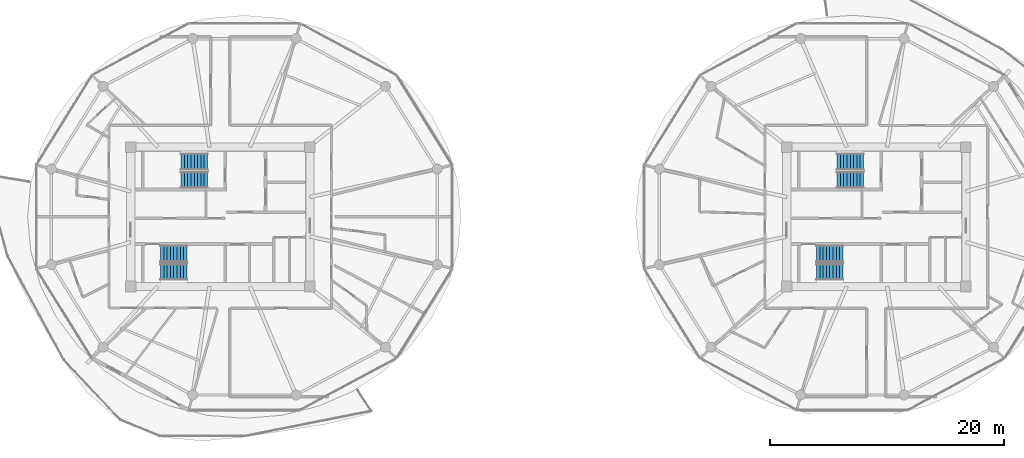
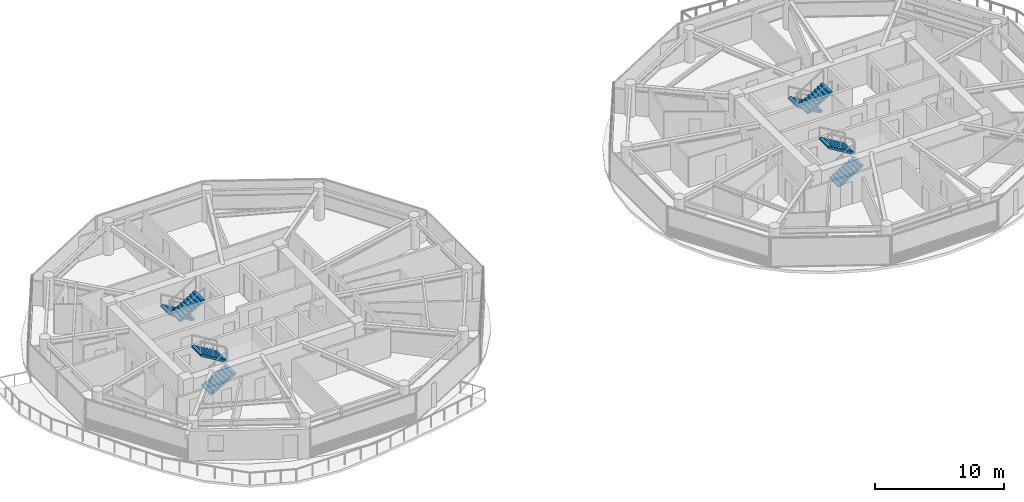
# One storey, part 19 of 24: 8 stair flights, 4 elements without a shape of their own.
"""IFC4 building model written with IfcOpenShell, lengths in metres."""

from ifc_helpers import new_model, si_unit, direction, frame, origin, place, context, subcontext, project, spatial, polyline, outline, extrude, material, type_object, element, aggregate, save


model = new_model("IFC4")

# Units and contexts
model_context = context("Model", 3, precision=1e-05, world=origin(), true_north=direction((0.0, 1.0)))
body_context = subcontext(model_context, "Body", "Model", "MODEL_VIEW")
ifc_project = project(units=[si_unit("LENGTHUNIT", "METRE"), si_unit("AREAUNIT", "SQUARE_METRE"), si_unit("VOLUMEUNIT", "CUBIC_METRE"), si_unit("PLANEANGLEUNIT", "RADIAN"), si_unit("MASSUNIT", "GRAM", prefix="KILO")], contexts=[model_context])

# Site, building, storey
site_placement = place(None, origin())
site = spatial("IfcSite", under=ifc_project, at=site_placement, CompositionType="ELEMENT")
building_placement = place(site_placement, origin())
building = spatial("IfcBuilding", under=site, at=building_placement, Name="Norrkilde Senior Care Towers", CompositionType="ELEMENT")
storey_placement = place(building_placement, frame((0.0, 0.0, 105.39990234375)))
storey = spatial("IfcBuildingStorey", under=building, at=storey_placement, Name="L32", CompositionType="ELEMENT", Elevation=105.39990234375)

# Stair, stair flights
ifc_material = material(Name="Concrete C45/55", Category="concrete")
stair_type = type_object("IfcStairType", Name="Core Protected Dogleg Stair Typical 3050", PredefinedType="HALF_TURN_STAIR", material=ifc_material)
stair_1_placement = place(storey_placement, origin())
stair_1 = element("IfcStair", 1, at=stair_1_placement, inside=storey, type_object=stair_type, Name="L32 Protected Core Stair W1", PredefinedType="HALF_TURN_STAIR")
stair_flight_type = type_object("IfcStairFlightType", Name="Core Protected Dogleg Stair Typical 3050 Flight", PredefinedType="STRAIGHT", material=ifc_material)
stair_flight_1_placement = place(storey_placement, frame((-29.10009765625, 4.699951171875, 0.0), z_axis=(0.0, 0.0, 1.0), x_axis=(-1.0, 0.0, 0.0)))
stair_flight_1 = element("IfcStairFlight", 2, at=stair_flight_1_placement, type_object=stair_flight_type, Name="ST-W1 flight 1", NumberOfRisers=9, NumberOfTreads=8, PredefinedType="STRAIGHT", RiserHeight=0.169444444, TreadLength=0.28, context=body_context, shape_type="SweptSolid", body=[
    extrude(outline(polyline([(0.0, 0.0), (0.0, 0.16943359375), (0.280029296875, 0.16943359375), (0.280029296875, 0.3388671875), (0.56005859375, 0.3388671875), (0.56005859375, 0.50830078125), (0.840087890625, 0.50830078125), (0.840087890625, 0.677734375), (1.1201171875, 0.677734375), (1.1201171875, 0.84716796875), (1.39990234375, 0.84716796875), (1.39990234375, 1.0166015625), (1.679931640625, 1.0166015625), (1.679931640625, 1.18603515625), (1.9599609375, 1.18603515625), (1.9599609375, 1.35546875), (2.239990234375, 1.35546875), (2.239990234375, 1.52490234375), (2.239990234375, 1.180419921875), (0.28955078125, 0.0), (0.0, 0.0)])), frame((0.0, 0.699951171875, 0.0), z_axis=(0.0, -1.0, 0.0), x_axis=(1.0, 0.0, 0.0)), (0.0, 0.0, 1.0), 1.39990234375),
])
stair_flight_2_placement = place(storey_placement, frame((-31.340087890625, 3.14990234375, 1.525146484375), z_axis=(0.0, 0.0, 1.0), x_axis=(1.0, 0.0, 0.0)))
stair_flight_2 = element("IfcStairFlight", 3, at=stair_flight_2_placement, type_object=stair_flight_type, Name="ST-W1 flight 2", NumberOfRisers=9, NumberOfTreads=8, PredefinedType="STRAIGHT", RiserHeight=0.169444444, TreadLength=0.28, context=body_context, shape_type="SweptSolid", body=[
    extrude(outline(polyline([(0.0, 0.0), (0.0, 0.16943359375), (0.280029296875, 0.16943359375), (0.280029296875, 0.3388671875), (0.56005859375, 0.3388671875), (0.56005859375, 0.50830078125), (0.840087890625, 0.50830078125), (0.840087890625, 0.677734375), (1.1201171875, 0.677734375), (1.1201171875, 0.84716796875), (1.39990234375, 0.84716796875), (1.39990234375, 1.0166015625), (1.679931640625, 1.0166015625), (1.679931640625, 1.18603515625), (1.9599609375, 1.18603515625), (1.9599609375, 1.35546875), (2.239990234375, 1.35546875), (2.239990234375, 1.52490234375), (2.239990234375, 1.180419921875), (0.28955078125, 0.0), (0.0, 0.0)])), frame((0.0, 0.699951171875, 0.0), z_axis=(0.0, -1.0, 0.0), x_axis=(1.0, 0.0, 0.0)), (0.0, 0.0, 1.0), 1.39990234375),
])
aggregate(stair_1, [stair_flight_1, stair_flight_2])

stair_2_placement = place(storey_placement, origin())
stair_2 = element("IfcStair", 4, at=stair_2_placement, inside=storey, type_object=stair_type, Name="L32 Protected Core Stair W2", PredefinedType="HALF_TURN_STAIR")
stair_flight_3_placement = place(storey_placement, frame((-33.10009765625, -4.699951171875, 0.0), z_axis=(0.0, 0.0, 1.0), x_axis=(1.0, 0.0, 0.0)))
stair_flight_3 = element("IfcStairFlight", 5, at=stair_flight_3_placement, type_object=stair_flight_type, Name="ST-W2 flight 1", NumberOfRisers=9, NumberOfTreads=8, PredefinedType="STRAIGHT", RiserHeight=0.169444444, TreadLength=0.28, context=body_context, shape_type="SweptSolid", body=[
    extrude(outline(polyline([(0.0, 0.0), (0.0, 0.16943359375), (0.280029296875, 0.16943359375), (0.280029296875, 0.3388671875), (0.56005859375, 0.3388671875), (0.56005859375, 0.50830078125), (0.840087890625, 0.50830078125), (0.840087890625, 0.677734375), (1.1201171875, 0.677734375), (1.1201171875, 0.84716796875), (1.39990234375, 0.84716796875), (1.39990234375, 1.0166015625), (1.679931640625, 1.0166015625), (1.679931640625, 1.18603515625), (1.9599609375, 1.18603515625), (1.9599609375, 1.35546875), (2.239990234375, 1.35546875), (2.239990234375, 1.52490234375), (2.239990234375, 1.180419921875), (0.28955078125, 0.0), (0.0, 0.0)])), frame((0.0, 0.699951171875, 0.0), z_axis=(0.0, -1.0, 0.0), x_axis=(1.0, 0.0, 0.0)), (0.0, 0.0, 1.0), 1.39990234375),
])
stair_flight_4_placement = place(storey_placement, frame((-30.860107421875, -3.14990234375, 1.525146484375), z_axis=(0.0, 0.0, 1.0), x_axis=(-1.0, 0.0, 0.0)))
stair_flight_4 = element("IfcStairFlight", 6, at=stair_flight_4_placement, type_object=stair_flight_type, Name="ST-W2 flight 2", NumberOfRisers=9, NumberOfTreads=8, PredefinedType="STRAIGHT", RiserHeight=0.169444444, TreadLength=0.28, context=body_context, shape_type="SweptSolid", body=[
    extrude(outline(polyline([(0.0, 0.0), (0.0, 0.16943359375), (0.280029296875, 0.16943359375), (0.280029296875, 0.3388671875), (0.56005859375, 0.3388671875), (0.56005859375, 0.50830078125), (0.840087890625, 0.50830078125), (0.840087890625, 0.677734375), (1.1201171875, 0.677734375), (1.1201171875, 0.84716796875), (1.39990234375, 0.84716796875), (1.39990234375, 1.0166015625), (1.679931640625, 1.0166015625), (1.679931640625, 1.18603515625), (1.9599609375, 1.18603515625), (1.9599609375, 1.35546875), (2.239990234375, 1.35546875), (2.239990234375, 1.52490234375), (2.239990234375, 1.180419921875), (0.28955078125, 0.0), (0.0, 0.0)])), frame((0.0, 0.699951171875, 0.0), z_axis=(0.0, -1.0, 0.0), x_axis=(1.0, 0.0, 0.0)), (0.0, 0.0, 1.0), 1.39990234375),
])
aggregate(stair_2, [stair_flight_3, stair_flight_4])

stair_3_placement = place(storey_placement, origin())
stair_3 = element("IfcStair", 7, at=stair_3_placement, inside=storey, type_object=stair_type, Name="L32 Protected Core Stair E1", PredefinedType="HALF_TURN_STAIR")
stair_flight_5_placement = place(storey_placement, frame((26.89990234375, 4.699951171875, 0.0), z_axis=(0.0, 0.0, 1.0), x_axis=(-1.0, 0.0, 0.0)))
stair_flight_5 = element("IfcStairFlight", 8, at=stair_flight_5_placement, type_object=stair_flight_type, Name="ST-E1 flight 1", NumberOfRisers=9, NumberOfTreads=8, PredefinedType="STRAIGHT", RiserHeight=0.169444444, TreadLength=0.28, context=body_context, shape_type="SweptSolid", body=[
    extrude(outline(polyline([(0.0, 0.0), (0.0, 0.16943359375), (0.280029296875, 0.16943359375), (0.280029296875, 0.3388671875), (0.56005859375, 0.3388671875), (0.56005859375, 0.50830078125), (0.840087890625, 0.50830078125), (0.840087890625, 0.677734375), (1.1201171875, 0.677734375), (1.1201171875, 0.84716796875), (1.39990234375, 0.84716796875), (1.39990234375, 1.0166015625), (1.679931640625, 1.0166015625), (1.679931640625, 1.18603515625), (1.9599609375, 1.18603515625), (1.9599609375, 1.35546875), (2.239990234375, 1.35546875), (2.239990234375, 1.52490234375), (2.239990234375, 1.180419921875), (0.28955078125, 0.0), (0.0, 0.0)])), frame((0.0, 0.699951171875, 0.0), z_axis=(0.0, -1.0, 0.0), x_axis=(1.0, 0.0, 0.0)), (0.0, 0.0, 1.0), 1.39990234375),
])
stair_flight_6_placement = place(storey_placement, frame((24.659912109375, 3.14990234375, 1.525146484375), z_axis=(0.0, 0.0, 1.0), x_axis=(1.0, 0.0, 0.0)))
stair_flight_6 = element("IfcStairFlight", 9, at=stair_flight_6_placement, type_object=stair_flight_type, Name="ST-E1 flight 2", NumberOfRisers=9, NumberOfTreads=8, PredefinedType="STRAIGHT", RiserHeight=0.169444444, TreadLength=0.28, context=body_context, shape_type="SweptSolid", body=[
    extrude(outline(polyline([(0.0, 0.0), (0.0, 0.16943359375), (0.280029296875, 0.16943359375), (0.280029296875, 0.3388671875), (0.56005859375, 0.3388671875), (0.56005859375, 0.50830078125), (0.840087890625, 0.50830078125), (0.840087890625, 0.677734375), (1.1201171875, 0.677734375), (1.1201171875, 0.84716796875), (1.39990234375, 0.84716796875), (1.39990234375, 1.0166015625), (1.679931640625, 1.0166015625), (1.679931640625, 1.18603515625), (1.9599609375, 1.18603515625), (1.9599609375, 1.35546875), (2.239990234375, 1.35546875), (2.239990234375, 1.52490234375), (2.239990234375, 1.180419921875), (0.28955078125, 0.0), (0.0, 0.0)])), frame((0.0, 0.699951171875, 0.0), z_axis=(0.0, -1.0, 0.0), x_axis=(1.0, 0.0, 0.0)), (0.0, 0.0, 1.0), 1.39990234375),
])
aggregate(stair_3, [stair_flight_5, stair_flight_6])

stair_4_placement = place(storey_placement, origin())
stair_4 = element("IfcStair", 10, at=stair_4_placement, inside=storey, type_object=stair_type, Name="L32 Protected Core Stair E2", PredefinedType="HALF_TURN_STAIR")
stair_flight_7_placement = place(storey_placement, frame((22.89990234375, -4.699951171875, 0.0), z_axis=(0.0, 0.0, 1.0), x_axis=(1.0, 0.0, 0.0)))
stair_flight_7 = element("IfcStairFlight", 11, at=stair_flight_7_placement, type_object=stair_flight_type, Name="ST-E2 flight 1", NumberOfRisers=9, NumberOfTreads=8, PredefinedType="STRAIGHT", RiserHeight=0.169444444, TreadLength=0.28, context=body_context, shape_type="SweptSolid", body=[
    extrude(outline(polyline([(0.0, 0.0), (0.0, 0.16943359375), (0.280029296875, 0.16943359375), (0.280029296875, 0.3388671875), (0.56005859375, 0.3388671875), (0.56005859375, 0.50830078125), (0.840087890625, 0.50830078125), (0.840087890625, 0.677734375), (1.1201171875, 0.677734375), (1.1201171875, 0.84716796875), (1.39990234375, 0.84716796875), (1.39990234375, 1.0166015625), (1.679931640625, 1.0166015625), (1.679931640625, 1.18603515625), (1.9599609375, 1.18603515625), (1.9599609375, 1.35546875), (2.239990234375, 1.35546875), (2.239990234375, 1.52490234375), (2.239990234375, 1.180419921875), (0.28955078125, 0.0), (0.0, 0.0)])), frame((0.0, 0.699951171875, 0.0), z_axis=(0.0, -1.0, 0.0), x_axis=(1.0, 0.0, 0.0)), (0.0, 0.0, 1.0), 1.39990234375),
])
stair_flight_8_placement = place(storey_placement, frame((25.139892578125, -3.14990234375, 1.525146484375), z_axis=(0.0, 0.0, 1.0), x_axis=(-1.0, 0.0, 0.0)))
stair_flight_8 = element("IfcStairFlight", 12, at=stair_flight_8_placement, type_object=stair_flight_type, Name="ST-E2 flight 2", NumberOfRisers=9, NumberOfTreads=8, PredefinedType="STRAIGHT", RiserHeight=0.169444444, TreadLength=0.28, context=body_context, shape_type="SweptSolid", body=[
    extrude(outline(polyline([(0.0, 0.0), (0.0, 0.16943359375), (0.280029296875, 0.16943359375), (0.280029296875, 0.3388671875), (0.56005859375, 0.3388671875), (0.56005859375, 0.50830078125), (0.840087890625, 0.50830078125), (0.840087890625, 0.677734375), (1.1201171875, 0.677734375), (1.1201171875, 0.84716796875), (1.39990234375, 0.84716796875), (1.39990234375, 1.0166015625), (1.679931640625, 1.0166015625), (1.679931640625, 1.18603515625), (1.9599609375, 1.18603515625), (1.9599609375, 1.35546875), (2.239990234375, 1.35546875), (2.239990234375, 1.52490234375), (2.239990234375, 1.180419921875), (0.28955078125, 0.0), (0.0, 0.0)])), frame((0.0, 0.699951171875, 0.0), z_axis=(0.0, -1.0, 0.0), x_axis=(1.0, 0.0, 0.0)), (0.0, 0.0, 1.0), 1.39990234375),
])
aggregate(stair_4, [stair_flight_7, stair_flight_8])

save(model, "model.ifc")
